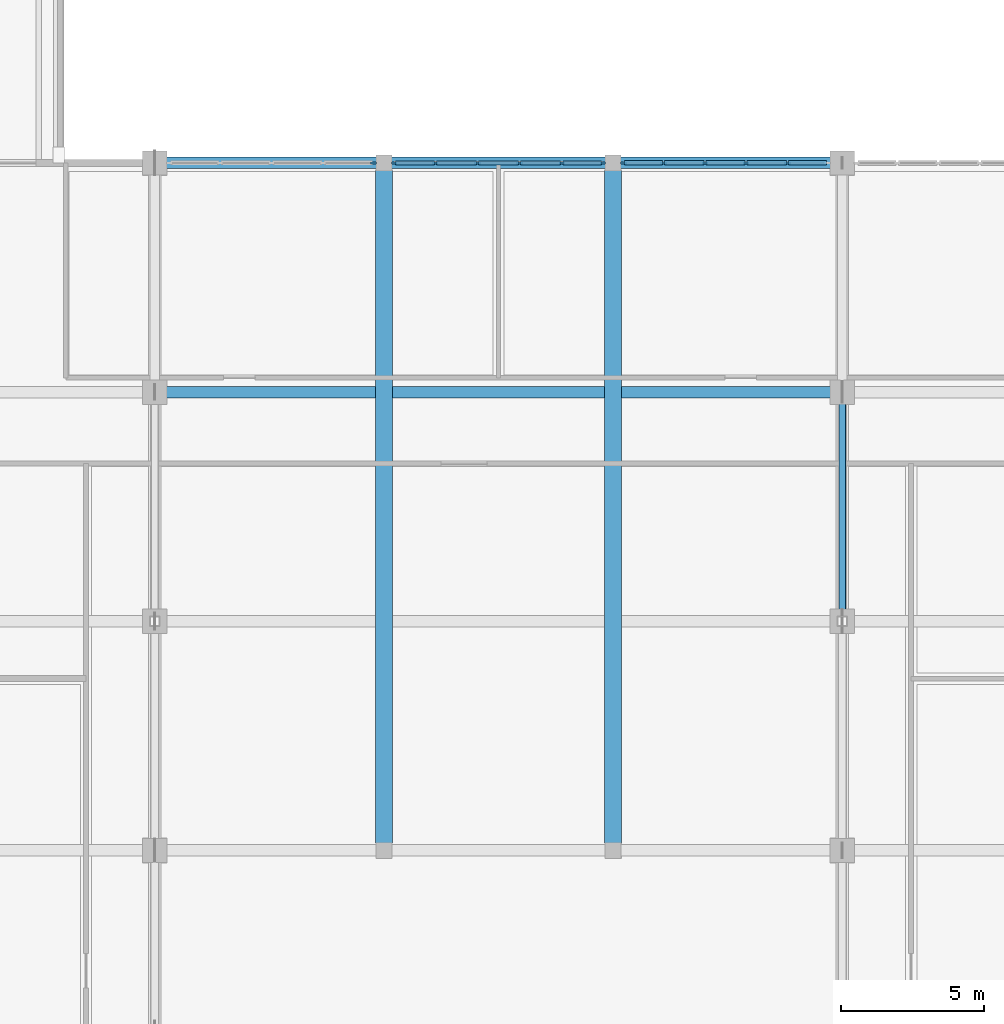
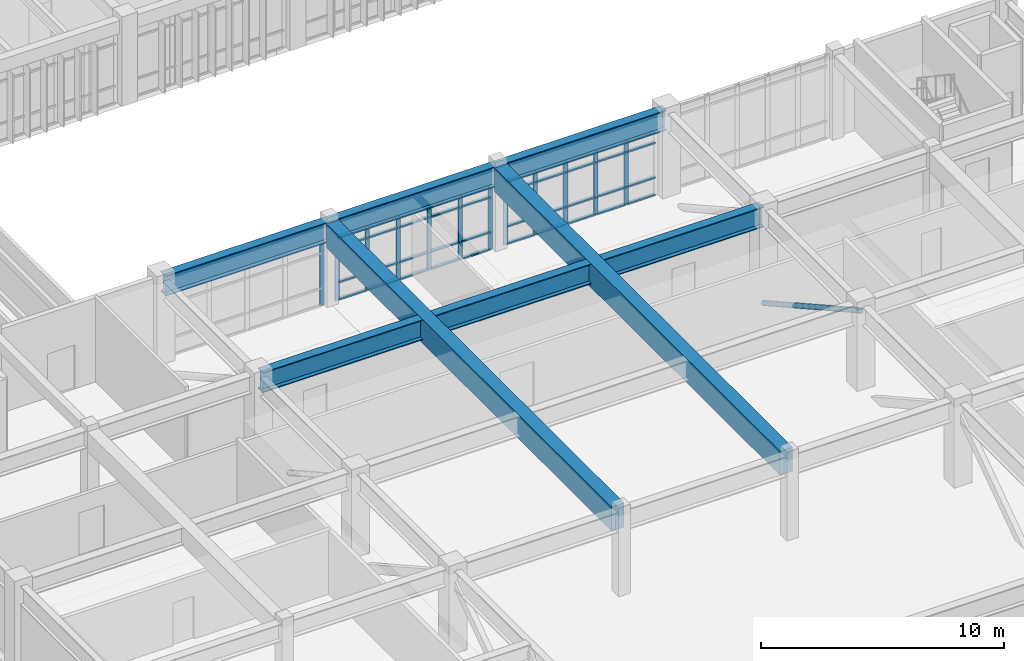
# One storey, part 17 of 79: 53 members, 4 beams, 3 elements without a shape of their own.
"""IFC4 building model written with IfcOpenShell, lengths in metres."""

from ifc_helpers import new_model, si_unit, direction, frame, origin, origin_2d, place, context, subcontext, project, spatial, rectangle, hollow_circle, i_section, extrude, material, material_profile, profile_set, type_object, element, aggregate, save


model = new_model("IFC4")

# Units and contexts
model_context = context("Model", 3, precision=1e-05, world=origin(), true_north=direction((0.0, 1.0)))
body_context = subcontext(model_context, "Body", "Model", "MODEL_VIEW")
ifc_project = project(units=[si_unit("LENGTHUNIT", "METRE"), si_unit("AREAUNIT", "SQUARE_METRE"), si_unit("VOLUMEUNIT", "CUBIC_METRE"), si_unit("PLANEANGLEUNIT", "RADIAN"), si_unit("MASSUNIT", "GRAM", prefix="KILO")], contexts=[model_context])

# Site, building, storey
site_placement = place(None, origin())
site = spatial("IfcSite", under=ifc_project, at=site_placement, CompositionType="ELEMENT")
building_placement = place(site_placement, origin())
building = spatial("IfcBuilding", under=site, at=building_placement, Name="Tlaxcora Railside Police Headquarters", CompositionType="ELEMENT")
storey_placement = place(building_placement, frame((0.0, 0.0, 9.0)))
storey = spatial("IfcBuildingStorey", under=building, at=storey_placement, Name="L02", CompositionType="ELEMENT", Elevation=9.0)

# Curtain wall, members
ifc_material_1 = material(Name="Thermally broken low-E insulated glazing", Category="glass")
curtain_wall_type_1 = type_object("IfcCurtainWallType", Name="Unitised Curtain Wall Assembly CW-38", PredefinedType="NOTDEFINED", material=ifc_material_1)
curtain_wall_1_placement = place(storey_placement, origin())
curtain_wall_1 = element("IfcCurtainWall", 1, at=curtain_wall_1_placement, inside=storey, type_object=curtain_wall_type_1, Name="V2 L02 curtain wall 13", PredefinedType="NOTDEFINED")
ifc_material_2 = material(Name="Anodised aluminium framing", Category="aluminium")
ifc_material_profile_1 = material_profile(ifc_material_2, rectangle(XDim=0.074951171875, YDim=0.205078125, at=origin_2d()), Name="AL75X205")
ifc_profile_set_1 = profile_set([ifc_material_profile_1], Name="Anodised aluminium framing")
member_type_1 = type_object("IfcMemberType", Name="Curtain Wall Mullion CW-32", PredefinedType="MULLION", material=ifc_profile_set_1)
member_1_placement = place(storey_placement, frame((84.0849609375, 60.0, 0.0), z_axis=(0.0, 0.0, 1.0), x_axis=(0.0, -1.0, 0.0)))
member_1 = element("IfcMember", 2, at=member_1_placement, type_object=member_type_1, Name="CW mullion 2", PredefinedType="MULLION", context=body_context, shape_type="SweptSolid", body=[
    extrude(rectangle(XDim=0.074951171875, YDim=0.205078125, at=origin_2d()), origin(), (0.0, 0.0, 1.0), 3.179931640625),
])
member_2_placement = place(storey_placement, frame((82.64501953125, 60.0, 0.0), z_axis=(0.0, 0.0, 1.0), x_axis=(0.0, -1.0, 0.0)))
member_2 = element("IfcMember", 3, at=member_2_placement, type_object=member_type_1, Name="CW mullion 3", PredefinedType="MULLION", context=body_context, shape_type="SweptSolid", body=[
    extrude(rectangle(XDim=0.074951171875, YDim=0.205078125, at=origin_2d()), origin(), (0.0, 0.0, 1.0), 3.179931640625),
])
member_3_placement = place(storey_placement, frame((81.205078125, 60.0, 0.0), z_axis=(0.0, 0.0, 1.0), x_axis=(0.0, -1.0, 0.0)))
member_3 = element("IfcMember", 4, at=member_3_placement, type_object=member_type_1, Name="CW mullion 4", PredefinedType="MULLION", context=body_context, shape_type="SweptSolid", body=[
    extrude(rectangle(XDim=0.074951171875, YDim=0.205078125, at=origin_2d()), origin(), (0.0, 0.0, 1.0), 3.179931640625),
])
member_4_placement = place(storey_placement, frame((79.764892578125, 60.0, 0.0), z_axis=(0.0, 0.0, 1.0), x_axis=(0.0, -1.0, 0.0)))
member_4 = element("IfcMember", 5, at=member_4_placement, type_object=member_type_1, Name="CW mullion 5", PredefinedType="MULLION", context=body_context, shape_type="SweptSolid", body=[
    extrude(rectangle(XDim=0.074951171875, YDim=0.205078125, at=origin_2d()), origin(), (0.0, 0.0, 1.0), 3.179931640625),
])
member_5_placement = place(storey_placement, frame((78.362548828125, 60.0, 0.0), z_axis=(0.0, 0.0, 1.0), x_axis=(0.0, -1.0, 0.0)))
member_5 = element("IfcMember", 6, at=member_5_placement, type_object=member_type_1, Name="CW mullion 6", PredefinedType="MULLION", context=body_context, shape_type="SweptSolid", body=[
    extrude(rectangle(XDim=0.074951171875, YDim=0.205078125, at=origin_2d()), origin(), (0.0, 0.0, 1.0), 3.179931640625),
])

curtain_wall_type_2 = type_object("IfcCurtainWallType", Name="Unitised Curtain Wall Assembly CW-15", PredefinedType="NOTDEFINED", material=ifc_material_1)
curtain_wall_2_placement = place(storey_placement, origin())
curtain_wall_2 = element("IfcCurtainWall", 7, at=curtain_wall_2_placement, inside=storey, type_object=curtain_wall_type_2, Name="V2 L02 curtain wall 14", PredefinedType="NOTDEFINED")
ifc_material_profile_2 = material_profile(ifc_material_2, rectangle(XDim=0.074951171875, YDim=0.199951171875, at=origin_2d()), Name="AL75X200")
ifc_profile_set_2 = profile_set([ifc_material_profile_2], Name="Anodised aluminium framing")
member_type_2 = type_object("IfcMemberType", Name="Curtain Wall Mullion CW-58", PredefinedType="MULLION", material=ifc_profile_set_2)
member_6_placement = place(storey_placement, frame((77.637451171875, 60.0, 0.0), z_axis=(0.0, 0.0, 1.0), x_axis=(0.0, -1.0, 0.0)))
member_6 = element("IfcMember", 8, at=member_6_placement, type_object=member_type_2, Name="CW mullion 1", PredefinedType="MULLION", context=body_context, shape_type="SweptSolid", body=[
    extrude(rectangle(XDim=0.074951171875, YDim=0.199951171875, at=origin_2d()), origin(), (0.0, 0.0, 1.0), 3.179931640625),
])
member_7_placement = place(storey_placement, frame((76.205078125, 60.0, 0.0), z_axis=(0.0, 0.0, 1.0), x_axis=(0.0, -1.0, 0.0)))
member_7 = element("IfcMember", 9, at=member_7_placement, type_object=member_type_2, Name="CW mullion 2", PredefinedType="MULLION", context=body_context, shape_type="SweptSolid", body=[
    extrude(rectangle(XDim=0.074951171875, YDim=0.199951171875, at=origin_2d()), origin(), (0.0, 0.0, 1.0), 3.179931640625),
])
member_8_placement = place(storey_placement, frame((74.735107421875, 60.0, 0.0), z_axis=(0.0, 0.0, 1.0), x_axis=(0.0, -1.0, 0.0)))
member_8 = element("IfcMember", 10, at=member_8_placement, type_object=member_type_2, Name="CW mullion 3", PredefinedType="MULLION", context=body_context, shape_type="SweptSolid", body=[
    extrude(rectangle(XDim=0.074951171875, YDim=0.199951171875, at=origin_2d()), origin(), (0.0, 0.0, 1.0), 3.179931640625),
])
member_9_placement = place(storey_placement, frame((73.264892578125, 60.0, 0.0), z_axis=(0.0, 0.0, 1.0), x_axis=(0.0, -1.0, 0.0)))
member_9 = element("IfcMember", 11, at=member_9_placement, type_object=member_type_2, Name="CW mullion 4", PredefinedType="MULLION", context=body_context, shape_type="SweptSolid", body=[
    extrude(rectangle(XDim=0.074951171875, YDim=0.199951171875, at=origin_2d()), origin(), (0.0, 0.0, 1.0), 3.179931640625),
])
member_10_placement = place(storey_placement, frame((71.794921875, 60.0, 0.0), z_axis=(0.0, 0.0, 1.0), x_axis=(0.0, -1.0, 0.0)))
member_10 = element("IfcMember", 12, at=member_10_placement, type_object=member_type_2, Name="CW mullion 5", PredefinedType="MULLION", context=body_context, shape_type="SweptSolid", body=[
    extrude(rectangle(XDim=0.074951171875, YDim=0.199951171875, at=origin_2d()), origin(), (0.0, 0.0, 1.0), 3.179931640625),
])
member_11_placement = place(storey_placement, frame((70.362548828125, 60.0, 0.0), z_axis=(0.0, 0.0, 1.0), x_axis=(0.0, -1.0, 0.0)))
member_11 = element("IfcMember", 13, at=member_11_placement, type_object=member_type_2, Name="CW mullion 6", PredefinedType="MULLION", context=body_context, shape_type="SweptSolid", body=[
    extrude(rectangle(XDim=0.074951171875, YDim=0.199951171875, at=origin_2d()), origin(), (0.0, 0.0, 1.0), 3.179931640625),
])

# Curtain wall, member
curtain_wall_type_3 = type_object("IfcCurtainWallType", Name="Unitised Curtain Wall Assembly CW-83", PredefinedType="NOTDEFINED", material=ifc_material_1)
curtain_wall_3_placement = place(storey_placement, origin())
curtain_wall_3 = element("IfcCurtainWall", 14, at=curtain_wall_3_placement, inside=storey, type_object=curtain_wall_type_3, Name="V2 L02 curtain wall 15", PredefinedType="NOTDEFINED")
ifc_material_profile_3 = material_profile(ifc_material_2, rectangle(XDim=0.080078125, YDim=0.2099609375, at=origin_2d()), Name="AL80X210")
ifc_profile_set_3 = profile_set([ifc_material_profile_3], Name="Anodised aluminium framing")
member_type_3 = type_object("IfcMemberType", Name="Curtain Wall Mullion CW-76", PredefinedType="MULLION", material=ifc_profile_set_3)
member_12_placement = place(storey_placement, frame((69.635009765625, 60.0, 0.0), z_axis=(0.0, 0.0, 1.0), x_axis=(0.0, -1.0, 0.0)))
member_12 = element("IfcMember", 15, at=member_12_placement, type_object=member_type_3, Name="CW mullion 1", PredefinedType="MULLION", context=body_context, shape_type="SweptSolid", body=[
    extrude(rectangle(XDim=0.080078125, YDim=0.2099609375, at=origin_2d()), origin(), (0.0, 0.0, 1.0), 3.179931640625),
])
aggregate(curtain_wall_3, [member_12])

# Member
ifc_material_profile_4 = material_profile(ifc_material_2, rectangle(XDim=0.14990234375, YDim=0.074951171875, at=origin_2d()), Name="AL75X150")
ifc_profile_set_4 = profile_set([ifc_material_profile_4], Name="Anodised aluminium framing")
member_type_4 = type_object("IfcMemberType", Name="Curtain Wall Transom CW-28", PredefinedType="USERDEFINED", material=ifc_profile_set_4)
member_13_placement = place(storey_placement, frame((77.60009765625, 60.0, 0.03759765625), z_axis=(-1.0, 0.0, 0.0), x_axis=(0.0, -1.0, 0.0)))
member_13 = element("IfcMember", 16, at=member_13_placement, type_object=member_type_4, Name="CW transom 1.1", ObjectType="TRANSOM", PredefinedType="USERDEFINED", context=body_context, shape_type="SweptSolid", body=[
    extrude(rectangle(XDim=0.14990234375, YDim=0.074951171875, at=origin_2d()), origin(), (0.0, 0.0, 1.0), 1.357666015625),
])

member_14_placement = place(storey_placement, frame((77.60009765625, 60.0, 0.89990234375), z_axis=(-1.0, 0.0, 0.0), x_axis=(0.0, -1.0, 0.0)))
member_14 = element("IfcMember", 17, at=member_14_placement, type_object=member_type_4, Name="CW transom 1.2", ObjectType="TRANSOM", PredefinedType="USERDEFINED", context=body_context, shape_type="SweptSolid", body=[
    extrude(rectangle(XDim=0.14990234375, YDim=0.074951171875, at=origin_2d()), origin(), (0.0, 0.0, 1.0), 1.357666015625),
])

member_15_placement = place(storey_placement, frame((77.60009765625, 60.0, 2.64990234375), z_axis=(-1.0, 0.0, 0.0), x_axis=(0.0, -1.0, 0.0)))
member_15 = element("IfcMember", 18, at=member_15_placement, type_object=member_type_4, Name="CW transom 1.3", ObjectType="TRANSOM", PredefinedType="USERDEFINED", context=body_context, shape_type="SweptSolid", body=[
    extrude(rectangle(XDim=0.14990234375, YDim=0.074951171875, at=origin_2d()), origin(), (0.0, 0.0, 1.0), 1.357666015625),
])

member_16_placement = place(storey_placement, frame((77.60009765625, 60.0, 3.142578125), z_axis=(-1.0, 0.0, 0.0), x_axis=(0.0, -1.0, 0.0)))
member_16 = element("IfcMember", 19, at=member_16_placement, type_object=member_type_4, Name="CW transom 1.4", ObjectType="TRANSOM", PredefinedType="USERDEFINED", context=body_context, shape_type="SweptSolid", body=[
    extrude(rectangle(XDim=0.14990234375, YDim=0.074951171875, at=origin_2d()), origin(), (0.0, 0.0, 1.0), 1.357666015625),
])

member_17_placement = place(storey_placement, frame((76.16748046875, 60.0, 0.03759765625), z_axis=(-1.0, 0.0, 0.0), x_axis=(0.0, -1.0, 0.0)))
member_17 = element("IfcMember", 20, at=member_17_placement, type_object=member_type_4, Name="CW transom 2.1", ObjectType="TRANSOM", PredefinedType="USERDEFINED", context=body_context, shape_type="SweptSolid", body=[
    extrude(rectangle(XDim=0.14990234375, YDim=0.074951171875, at=origin_2d()), origin(), (0.0, 0.0, 1.0), 1.39501953125),
])

member_18_placement = place(storey_placement, frame((76.16748046875, 60.0, 0.89990234375), z_axis=(-1.0, 0.0, 0.0), x_axis=(0.0, -1.0, 0.0)))
member_18 = element("IfcMember", 21, at=member_18_placement, type_object=member_type_4, Name="CW transom 2.2", ObjectType="TRANSOM", PredefinedType="USERDEFINED", context=body_context, shape_type="SweptSolid", body=[
    extrude(rectangle(XDim=0.14990234375, YDim=0.074951171875, at=origin_2d()), origin(), (0.0, 0.0, 1.0), 1.39501953125),
])

member_19_placement = place(storey_placement, frame((76.16748046875, 60.0, 2.64990234375), z_axis=(-1.0, 0.0, 0.0), x_axis=(0.0, -1.0, 0.0)))
member_19 = element("IfcMember", 22, at=member_19_placement, type_object=member_type_4, Name="CW transom 2.3", ObjectType="TRANSOM", PredefinedType="USERDEFINED", context=body_context, shape_type="SweptSolid", body=[
    extrude(rectangle(XDim=0.14990234375, YDim=0.074951171875, at=origin_2d()), origin(), (0.0, 0.0, 1.0), 1.39501953125),
])

member_20_placement = place(storey_placement, frame((76.16748046875, 60.0, 3.142578125), z_axis=(-1.0, 0.0, 0.0), x_axis=(0.0, -1.0, 0.0)))
member_20 = element("IfcMember", 23, at=member_20_placement, type_object=member_type_4, Name="CW transom 2.4", ObjectType="TRANSOM", PredefinedType="USERDEFINED", context=body_context, shape_type="SweptSolid", body=[
    extrude(rectangle(XDim=0.14990234375, YDim=0.074951171875, at=origin_2d()), origin(), (0.0, 0.0, 1.0), 1.39501953125),
])

member_21_placement = place(storey_placement, frame((74.697509765625, 60.0, 0.03759765625), z_axis=(-1.0, 0.0, 0.0), x_axis=(0.0, -1.0, 0.0)))
member_21 = element("IfcMember", 24, at=member_21_placement, type_object=member_type_4, Name="CW transom 3.1", ObjectType="TRANSOM", PredefinedType="USERDEFINED", context=body_context, shape_type="SweptSolid", body=[
    extrude(rectangle(XDim=0.14990234375, YDim=0.074951171875, at=origin_2d()), origin(), (0.0, 0.0, 1.0), 1.39501953125),
])

member_22_placement = place(storey_placement, frame((74.697509765625, 60.0, 0.89990234375), z_axis=(-1.0, 0.0, 0.0), x_axis=(0.0, -1.0, 0.0)))
member_22 = element("IfcMember", 25, at=member_22_placement, type_object=member_type_4, Name="CW transom 3.2", ObjectType="TRANSOM", PredefinedType="USERDEFINED", context=body_context, shape_type="SweptSolid", body=[
    extrude(rectangle(XDim=0.14990234375, YDim=0.074951171875, at=origin_2d()), origin(), (0.0, 0.0, 1.0), 1.39501953125),
])

member_23_placement = place(storey_placement, frame((74.697509765625, 60.0, 2.64990234375), z_axis=(-1.0, 0.0, 0.0), x_axis=(0.0, -1.0, 0.0)))
member_23 = element("IfcMember", 26, at=member_23_placement, type_object=member_type_4, Name="CW transom 3.3", ObjectType="TRANSOM", PredefinedType="USERDEFINED", context=body_context, shape_type="SweptSolid", body=[
    extrude(rectangle(XDim=0.14990234375, YDim=0.074951171875, at=origin_2d()), origin(), (0.0, 0.0, 1.0), 1.39501953125),
])

member_24_placement = place(storey_placement, frame((74.697509765625, 60.0, 3.142578125), z_axis=(-1.0, 0.0, 0.0), x_axis=(0.0, -1.0, 0.0)))
member_24 = element("IfcMember", 27, at=member_24_placement, type_object=member_type_4, Name="CW transom 3.4", ObjectType="TRANSOM", PredefinedType="USERDEFINED", context=body_context, shape_type="SweptSolid", body=[
    extrude(rectangle(XDim=0.14990234375, YDim=0.074951171875, at=origin_2d()), origin(), (0.0, 0.0, 1.0), 1.39501953125),
])

member_25_placement = place(storey_placement, frame((73.2275390625, 60.0, 0.03759765625), z_axis=(-1.0, 0.0, 0.0), x_axis=(0.0, -1.0, 0.0)))
member_25 = element("IfcMember", 28, at=member_25_placement, type_object=member_type_4, Name="CW transom 4.1", ObjectType="TRANSOM", PredefinedType="USERDEFINED", context=body_context, shape_type="SweptSolid", body=[
    extrude(rectangle(XDim=0.14990234375, YDim=0.074951171875, at=origin_2d()), origin(), (0.0, 0.0, 1.0), 1.39501953125),
])

member_26_placement = place(storey_placement, frame((73.2275390625, 60.0, 0.89990234375), z_axis=(-1.0, 0.0, 0.0), x_axis=(0.0, -1.0, 0.0)))
member_26 = element("IfcMember", 29, at=member_26_placement, type_object=member_type_4, Name="CW transom 4.2", ObjectType="TRANSOM", PredefinedType="USERDEFINED", context=body_context, shape_type="SweptSolid", body=[
    extrude(rectangle(XDim=0.14990234375, YDim=0.074951171875, at=origin_2d()), origin(), (0.0, 0.0, 1.0), 1.39501953125),
])

member_27_placement = place(storey_placement, frame((73.2275390625, 60.0, 2.64990234375), z_axis=(-1.0, 0.0, 0.0), x_axis=(0.0, -1.0, 0.0)))
member_27 = element("IfcMember", 30, at=member_27_placement, type_object=member_type_4, Name="CW transom 4.3", ObjectType="TRANSOM", PredefinedType="USERDEFINED", context=body_context, shape_type="SweptSolid", body=[
    extrude(rectangle(XDim=0.14990234375, YDim=0.074951171875, at=origin_2d()), origin(), (0.0, 0.0, 1.0), 1.39501953125),
])

member_28_placement = place(storey_placement, frame((73.2275390625, 60.0, 3.142578125), z_axis=(-1.0, 0.0, 0.0), x_axis=(0.0, -1.0, 0.0)))
member_28 = element("IfcMember", 31, at=member_28_placement, type_object=member_type_4, Name="CW transom 4.4", ObjectType="TRANSOM", PredefinedType="USERDEFINED", context=body_context, shape_type="SweptSolid", body=[
    extrude(rectangle(XDim=0.14990234375, YDim=0.074951171875, at=origin_2d()), origin(), (0.0, 0.0, 1.0), 1.39501953125),
])

member_29_placement = place(storey_placement, frame((71.757568359375, 60.0, 0.03759765625), z_axis=(-1.0, 0.0, 0.0), x_axis=(0.0, -1.0, 0.0)))
member_29 = element("IfcMember", 32, at=member_29_placement, type_object=member_type_4, Name="CW transom 5.1", ObjectType="TRANSOM", PredefinedType="USERDEFINED", context=body_context, shape_type="SweptSolid", body=[
    extrude(rectangle(XDim=0.14990234375, YDim=0.074951171875, at=origin_2d()), origin(), (0.0, 0.0, 1.0), 1.357666015625),
])

member_30_placement = place(storey_placement, frame((71.757568359375, 60.0, 0.89990234375), z_axis=(-1.0, 0.0, 0.0), x_axis=(0.0, -1.0, 0.0)))
member_30 = element("IfcMember", 33, at=member_30_placement, type_object=member_type_4, Name="CW transom 5.2", ObjectType="TRANSOM", PredefinedType="USERDEFINED", context=body_context, shape_type="SweptSolid", body=[
    extrude(rectangle(XDim=0.14990234375, YDim=0.074951171875, at=origin_2d()), origin(), (0.0, 0.0, 1.0), 1.357666015625),
])

member_31_placement = place(storey_placement, frame((71.757568359375, 60.0, 2.64990234375), z_axis=(-1.0, 0.0, 0.0), x_axis=(0.0, -1.0, 0.0)))
member_31 = element("IfcMember", 34, at=member_31_placement, type_object=member_type_4, Name="CW transom 5.3", ObjectType="TRANSOM", PredefinedType="USERDEFINED", context=body_context, shape_type="SweptSolid", body=[
    extrude(rectangle(XDim=0.14990234375, YDim=0.074951171875, at=origin_2d()), origin(), (0.0, 0.0, 1.0), 1.357666015625),
])

member_32_placement = place(storey_placement, frame((71.757568359375, 60.0, 3.142578125), z_axis=(-1.0, 0.0, 0.0), x_axis=(0.0, -1.0, 0.0)))
member_32 = element("IfcMember", 35, at=member_32_placement, type_object=member_type_4, Name="CW transom 5.4", ObjectType="TRANSOM", PredefinedType="USERDEFINED", context=body_context, shape_type="SweptSolid", body=[
    extrude(rectangle(XDim=0.14990234375, YDim=0.074951171875, at=origin_2d()), origin(), (0.0, 0.0, 1.0), 1.357666015625),
])

aggregate(curtain_wall_2, [member_6, member_7, member_8, member_9, member_10, member_11, member_13, member_14, member_15, member_16, member_17, member_18, member_19, member_20, member_21, member_22, member_23, member_24, member_25, member_26, member_27, member_28, member_29, member_30, member_31, member_32])

ifc_material_profile_5 = material_profile(ifc_material_2, rectangle(XDim=0.155029296875, YDim=0.074951171875, at=origin_2d()), Name="AL75X155")
ifc_profile_set_5 = profile_set([ifc_material_profile_5], Name="Anodised aluminium framing")
member_type_5 = type_object("IfcMemberType", Name="Curtain Wall Transom CW-30", PredefinedType="USERDEFINED", material=ifc_profile_set_5)
member_33_placement = place(storey_placement, frame((85.449951171875, 60.0, 0.03759765625), z_axis=(-1.0, 0.0, 0.0), x_axis=(0.0, -1.0, 0.0)))
member_33 = element("IfcMember", 36, at=member_33_placement, type_object=member_type_5, Name="CW transom 1.1", ObjectType="TRANSOM", PredefinedType="USERDEFINED", context=body_context, shape_type="SweptSolid", body=[
    extrude(rectangle(XDim=0.155029296875, YDim=0.074951171875, at=origin_2d()), origin(), (0.0, 0.0, 1.0), 1.327392578125),
])

member_34_placement = place(storey_placement, frame((85.449951171875, 60.0, 0.89990234375), z_axis=(-1.0, 0.0, 0.0), x_axis=(0.0, -1.0, 0.0)))
member_34 = element("IfcMember", 37, at=member_34_placement, type_object=member_type_5, Name="CW transom 1.2", ObjectType="TRANSOM", PredefinedType="USERDEFINED", context=body_context, shape_type="SweptSolid", body=[
    extrude(rectangle(XDim=0.155029296875, YDim=0.074951171875, at=origin_2d()), origin(), (0.0, 0.0, 1.0), 1.327392578125),
])

member_35_placement = place(storey_placement, frame((85.449951171875, 60.0, 2.64990234375), z_axis=(-1.0, 0.0, 0.0), x_axis=(0.0, -1.0, 0.0)))
member_35 = element("IfcMember", 38, at=member_35_placement, type_object=member_type_5, Name="CW transom 1.3", ObjectType="TRANSOM", PredefinedType="USERDEFINED", context=body_context, shape_type="SweptSolid", body=[
    extrude(rectangle(XDim=0.155029296875, YDim=0.074951171875, at=origin_2d()), origin(), (0.0, 0.0, 1.0), 1.327392578125),
])

member_36_placement = place(storey_placement, frame((85.449951171875, 60.0, 3.142578125), z_axis=(-1.0, 0.0, 0.0), x_axis=(0.0, -1.0, 0.0)))
member_36 = element("IfcMember", 39, at=member_36_placement, type_object=member_type_5, Name="CW transom 1.4", ObjectType="TRANSOM", PredefinedType="USERDEFINED", context=body_context, shape_type="SweptSolid", body=[
    extrude(rectangle(XDim=0.155029296875, YDim=0.074951171875, at=origin_2d()), origin(), (0.0, 0.0, 1.0), 1.327392578125),
])

member_37_placement = place(storey_placement, frame((84.047607421875, 60.0, 0.03759765625), z_axis=(-1.0, 0.0, 0.0), x_axis=(0.0, -1.0, 0.0)))
member_37 = element("IfcMember", 40, at=member_37_placement, type_object=member_type_5, Name="CW transom 2.1", ObjectType="TRANSOM", PredefinedType="USERDEFINED", context=body_context, shape_type="SweptSolid", body=[
    extrude(rectangle(XDim=0.155029296875, YDim=0.074951171875, at=origin_2d()), origin(), (0.0, 0.0, 1.0), 1.364990234375),
])

member_38_placement = place(storey_placement, frame((84.047607421875, 60.0, 0.89990234375), z_axis=(-1.0, 0.0, 0.0), x_axis=(0.0, -1.0, 0.0)))
member_38 = element("IfcMember", 41, at=member_38_placement, type_object=member_type_5, Name="CW transom 2.2", ObjectType="TRANSOM", PredefinedType="USERDEFINED", context=body_context, shape_type="SweptSolid", body=[
    extrude(rectangle(XDim=0.155029296875, YDim=0.074951171875, at=origin_2d()), origin(), (0.0, 0.0, 1.0), 1.364990234375),
])

member_39_placement = place(storey_placement, frame((84.047607421875, 60.0, 2.64990234375), z_axis=(-1.0, 0.0, 0.0), x_axis=(0.0, -1.0, 0.0)))
member_39 = element("IfcMember", 42, at=member_39_placement, type_object=member_type_5, Name="CW transom 2.3", ObjectType="TRANSOM", PredefinedType="USERDEFINED", context=body_context, shape_type="SweptSolid", body=[
    extrude(rectangle(XDim=0.155029296875, YDim=0.074951171875, at=origin_2d()), origin(), (0.0, 0.0, 1.0), 1.364990234375),
])

member_40_placement = place(storey_placement, frame((84.047607421875, 60.0, 3.142578125), z_axis=(-1.0, 0.0, 0.0), x_axis=(0.0, -1.0, 0.0)))
member_40 = element("IfcMember", 43, at=member_40_placement, type_object=member_type_5, Name="CW transom 2.4", ObjectType="TRANSOM", PredefinedType="USERDEFINED", context=body_context, shape_type="SweptSolid", body=[
    extrude(rectangle(XDim=0.155029296875, YDim=0.074951171875, at=origin_2d()), origin(), (0.0, 0.0, 1.0), 1.364990234375),
])

member_41_placement = place(storey_placement, frame((82.607421875, 60.0, 0.03759765625), z_axis=(-1.0, 0.0, 0.0), x_axis=(0.0, -1.0, 0.0)))
member_41 = element("IfcMember", 44, at=member_41_placement, type_object=member_type_5, Name="CW transom 3.1", ObjectType="TRANSOM", PredefinedType="USERDEFINED", context=body_context, shape_type="SweptSolid", body=[
    extrude(rectangle(XDim=0.155029296875, YDim=0.074951171875, at=origin_2d()), origin(), (0.0, 0.0, 1.0), 1.364990234375),
])

member_42_placement = place(storey_placement, frame((82.607421875, 60.0, 0.89990234375), z_axis=(-1.0, 0.0, 0.0), x_axis=(0.0, -1.0, 0.0)))
member_42 = element("IfcMember", 45, at=member_42_placement, type_object=member_type_5, Name="CW transom 3.2", ObjectType="TRANSOM", PredefinedType="USERDEFINED", context=body_context, shape_type="SweptSolid", body=[
    extrude(rectangle(XDim=0.155029296875, YDim=0.074951171875, at=origin_2d()), origin(), (0.0, 0.0, 1.0), 1.364990234375),
])

member_43_placement = place(storey_placement, frame((82.607421875, 60.0, 2.64990234375), z_axis=(-1.0, 0.0, 0.0), x_axis=(0.0, -1.0, 0.0)))
member_43 = element("IfcMember", 46, at=member_43_placement, type_object=member_type_5, Name="CW transom 3.3", ObjectType="TRANSOM", PredefinedType="USERDEFINED", context=body_context, shape_type="SweptSolid", body=[
    extrude(rectangle(XDim=0.155029296875, YDim=0.074951171875, at=origin_2d()), origin(), (0.0, 0.0, 1.0), 1.364990234375),
])

member_44_placement = place(storey_placement, frame((82.607421875, 60.0, 3.142578125), z_axis=(-1.0, 0.0, 0.0), x_axis=(0.0, -1.0, 0.0)))
member_44 = element("IfcMember", 47, at=member_44_placement, type_object=member_type_5, Name="CW transom 3.4", ObjectType="TRANSOM", PredefinedType="USERDEFINED", context=body_context, shape_type="SweptSolid", body=[
    extrude(rectangle(XDim=0.155029296875, YDim=0.074951171875, at=origin_2d()), origin(), (0.0, 0.0, 1.0), 1.364990234375),
])

member_45_placement = place(storey_placement, frame((81.16748046875, 60.0, 0.03759765625), z_axis=(-1.0, 0.0, 0.0), x_axis=(0.0, -1.0, 0.0)))
member_45 = element("IfcMember", 48, at=member_45_placement, type_object=member_type_5, Name="CW transom 4.1", ObjectType="TRANSOM", PredefinedType="USERDEFINED", context=body_context, shape_type="SweptSolid", body=[
    extrude(rectangle(XDim=0.155029296875, YDim=0.074951171875, at=origin_2d()), origin(), (0.0, 0.0, 1.0), 1.364990234375),
])

member_46_placement = place(storey_placement, frame((81.16748046875, 60.0, 0.89990234375), z_axis=(-1.0, 0.0, 0.0), x_axis=(0.0, -1.0, 0.0)))
member_46 = element("IfcMember", 49, at=member_46_placement, type_object=member_type_5, Name="CW transom 4.2", ObjectType="TRANSOM", PredefinedType="USERDEFINED", context=body_context, shape_type="SweptSolid", body=[
    extrude(rectangle(XDim=0.155029296875, YDim=0.074951171875, at=origin_2d()), origin(), (0.0, 0.0, 1.0), 1.364990234375),
])

member_47_placement = place(storey_placement, frame((81.16748046875, 60.0, 2.64990234375), z_axis=(-1.0, 0.0, 0.0), x_axis=(0.0, -1.0, 0.0)))
member_47 = element("IfcMember", 50, at=member_47_placement, type_object=member_type_5, Name="CW transom 4.3", ObjectType="TRANSOM", PredefinedType="USERDEFINED", context=body_context, shape_type="SweptSolid", body=[
    extrude(rectangle(XDim=0.155029296875, YDim=0.074951171875, at=origin_2d()), origin(), (0.0, 0.0, 1.0), 1.364990234375),
])

member_48_placement = place(storey_placement, frame((81.16748046875, 60.0, 3.142578125), z_axis=(-1.0, 0.0, 0.0), x_axis=(0.0, -1.0, 0.0)))
member_48 = element("IfcMember", 51, at=member_48_placement, type_object=member_type_5, Name="CW transom 4.4", ObjectType="TRANSOM", PredefinedType="USERDEFINED", context=body_context, shape_type="SweptSolid", body=[
    extrude(rectangle(XDim=0.155029296875, YDim=0.074951171875, at=origin_2d()), origin(), (0.0, 0.0, 1.0), 1.364990234375),
])

member_49_placement = place(storey_placement, frame((79.7275390625, 60.0, 0.03759765625), z_axis=(-1.0, 0.0, 0.0), x_axis=(0.0, -1.0, 0.0)))
member_49 = element("IfcMember", 52, at=member_49_placement, type_object=member_type_5, Name="CW transom 5.1", ObjectType="TRANSOM", PredefinedType="USERDEFINED", context=body_context, shape_type="SweptSolid", body=[
    extrude(rectangle(XDim=0.155029296875, YDim=0.074951171875, at=origin_2d()), origin(), (0.0, 0.0, 1.0), 1.32763671875),
])

member_50_placement = place(storey_placement, frame((79.7275390625, 60.0, 0.89990234375), z_axis=(-1.0, 0.0, 0.0), x_axis=(0.0, -1.0, 0.0)))
member_50 = element("IfcMember", 53, at=member_50_placement, type_object=member_type_5, Name="CW transom 5.2", ObjectType="TRANSOM", PredefinedType="USERDEFINED", context=body_context, shape_type="SweptSolid", body=[
    extrude(rectangle(XDim=0.155029296875, YDim=0.074951171875, at=origin_2d()), origin(), (0.0, 0.0, 1.0), 1.32763671875),
])

member_51_placement = place(storey_placement, frame((79.7275390625, 60.0, 2.64990234375), z_axis=(-1.0, 0.0, 0.0), x_axis=(0.0, -1.0, 0.0)))
member_51 = element("IfcMember", 54, at=member_51_placement, type_object=member_type_5, Name="CW transom 5.3", ObjectType="TRANSOM", PredefinedType="USERDEFINED", context=body_context, shape_type="SweptSolid", body=[
    extrude(rectangle(XDim=0.155029296875, YDim=0.074951171875, at=origin_2d()), origin(), (0.0, 0.0, 1.0), 1.32763671875),
])

member_52_placement = place(storey_placement, frame((79.7275390625, 60.0, 3.142578125), z_axis=(-1.0, 0.0, 0.0), x_axis=(0.0, -1.0, 0.0)))
member_52 = element("IfcMember", 55, at=member_52_placement, type_object=member_type_5, Name="CW transom 5.4", ObjectType="TRANSOM", PredefinedType="USERDEFINED", context=body_context, shape_type="SweptSolid", body=[
    extrude(rectangle(XDim=0.155029296875, YDim=0.074951171875, at=origin_2d()), origin(), (0.0, 0.0, 1.0), 1.32763671875),
])

aggregate(curtain_wall_1, [member_1, member_2, member_3, member_4, member_5, member_33, member_34, member_35, member_36, member_37, member_38, member_39, member_40, member_41, member_42, member_43, member_44, member_45, member_46, member_47, member_48, member_49, member_50, member_51, member_52])

ifc_material_3 = material(Name="Steel ASTM A992 Grade 50", Category="steel")
ifc_material_profile_6 = material_profile(ifc_material_3, hollow_circle(Radius=0.1220703125, WallThickness=0.011962890625, at=origin_2d()), Name="CHS244X12")
ifc_profile_set_6 = profile_set([ifc_material_profile_6], Name="Steel ASTM A992 Grade 50")
member_type_6 = type_object("IfcMemberType", Name="Diagonal Brace Member MB-60", PredefinedType="BRACE", material=ifc_profile_set_6)
member_53_placement = place(storey_placement, frame((86.0, 52.0, -0.77001953125), z_axis=(0.0, -0.872972176335, 0.487770006607), x_axis=(1.0, 0.0, 0.0)))
element("IfcMember", 56, at=member_53_placement, inside=storey, type_object=member_type_6, Name="Truss TR-3 L02 web diagonal 2", PredefinedType="BRACE", context=body_context, shape_type="SweptSolid", body=[
    extrude(hollow_circle(Radius=0.1220703125, WallThickness=0.011962890625, at=origin_2d()), origin(), (0.0, 0.0, 1.0), 9.1640625),
])

# Beams
ifc_material_profile_7 = material_profile(ifc_material_3, i_section(OverallWidth=0.404052734375, OverallDepth=1.02001953125, WebThickness=0.025390625, FlangeThickness=0.0458984375, at=origin_2d()), Name="W40X324")
ifc_profile_set_7 = profile_set([ifc_material_profile_7], Name="Steel ASTM A992 Grade 50")
beam_type_1 = type_object("IfcBeamType", Name="Primary Frame Girder BM-17", PredefinedType="BEAM", material=ifc_profile_set_7)
for number, where, z_axis, x_axis, name in (
    (57, (62.10009765625, 60.0, 3.7099609375), (1.0, 0.0, 0.0), (0.0, 1.0, 0.0), "V2 L03 transverse girder Y=60.0"),
    (58, (62.10009765625, 52.0, 3.7099609375), (1.0, 0.0, 0.0), (0.0, 1.0, 0.0), "V2 L03 transverse girder Y=52.0"),
):
    element("IfcBeam", number, at=place(storey_placement, frame(where, z_axis=z_axis, x_axis=x_axis)), inside=storey, type_object=beam_type_1, Name=name, PredefinedType="BEAM", context=body_context, shape_type="SweptSolid", body=[
        extrude(i_section(OverallWidth=0.404052734375, OverallDepth=1.02001953125, WebThickness=0.025390625, FlangeThickness=0.0458984375, at=origin_2d()), origin(), (0.0, 0.0, 1.0), 23.7998046875),
    ])
ifc_material_4 = material(Name="Concrete C40/50", Category="concrete")
ifc_material_profile_8 = material_profile(ifc_material_4, rectangle(XDim=0.60009765625, YDim=1.199951171875, at=origin_2d()), Name="RC600X1200")
ifc_profile_set_8 = profile_set([ifc_material_profile_8], Name="Concrete C40/50")
beam_type_2 = type_object("IfcBeamType", Name="Primary Frame Girder BM-68", PredefinedType="BEAM", material=ifc_profile_set_8)
for number, where, z_axis, x_axis, name in (
    (59, (70.0, 36.264892578125, 3.6201171875), (0.0, 1.0, 0.0), (-1.0, 0.0, 0.0), "V2 L02 Y-girder X=70.0"),
    (60, (78.0, 36.264892578125, 3.6201171875), (0.0, 1.0, 0.0), (-1.0, 0.0, 0.0), "V2 L02 Y-girder X=78.0"),
):
    element("IfcBeam", number, at=place(storey_placement, frame(where, z_axis=z_axis, x_axis=x_axis)), inside=storey, type_object=beam_type_2, Name=name, PredefinedType="BEAM", context=body_context, shape_type="SweptSolid", body=[
        extrude(rectangle(XDim=0.60009765625, YDim=1.199951171875, at=origin_2d()), origin(), (0.0, 0.0, 1.0), 23.47021484375),
    ])

save(model, "model.ifc")
